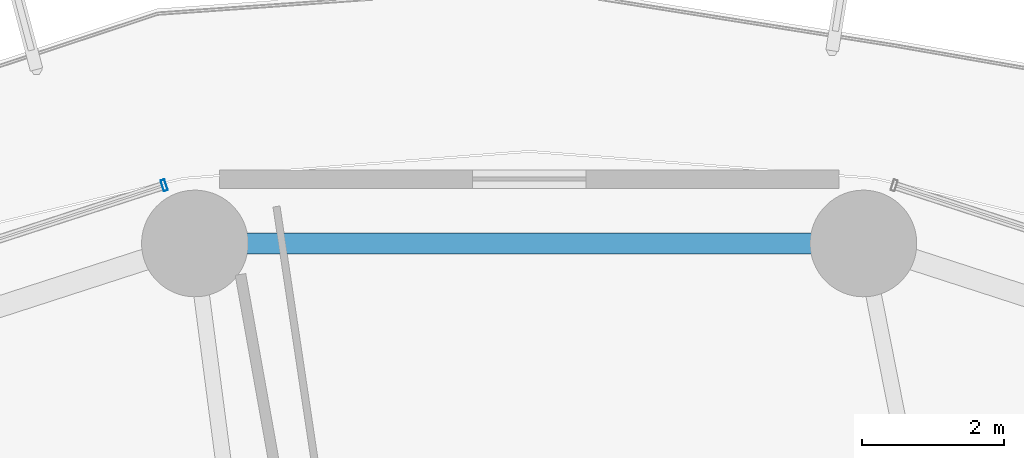
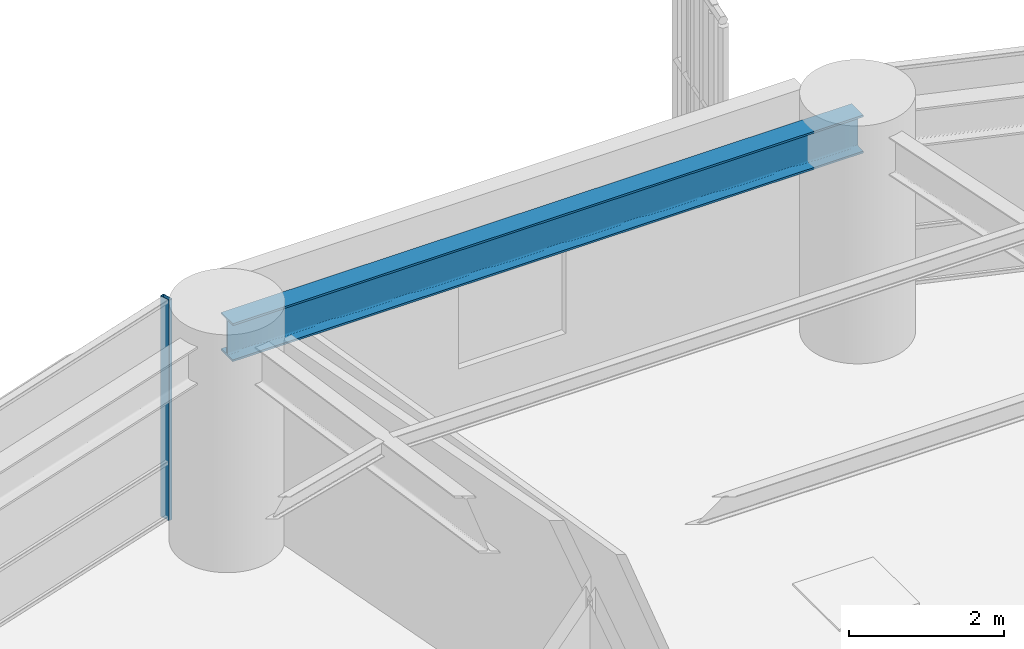
# One storey, part 18 of 32: 1 beam, 1 member, 1 element without a shape of its own.
"""IFC4 building model written with IfcOpenShell, lengths in metres."""

from ifc_helpers import new_model, si_unit, direction, frame, origin, origin_2d, place, context, subcontext, project, spatial, hollow_rectangle, i_section, extrude, material, layer, layer_set, material_profile, profile_set, type_object, element, aggregate, save


model = new_model("IFC4")

# Units and contexts
model_context = context("Model", 3, precision=1e-05, world=origin(), true_north=direction((0.0, 1.0)))
body_context = subcontext(model_context, "Body", "Model", "MODEL_VIEW")
ifc_project = project(units=[si_unit("LENGTHUNIT", "METRE"), si_unit("AREAUNIT", "SQUARE_METRE"), si_unit("VOLUMEUNIT", "CUBIC_METRE"), si_unit("PLANEANGLEUNIT", "RADIAN"), si_unit("MASSUNIT", "GRAM", prefix="KILO")], contexts=[model_context])

# Site, building, storey
site_placement = place(None, origin())
site = spatial("IfcSite", under=ifc_project, at=site_placement, CompositionType="ELEMENT")
building_placement = place(site_placement, origin())
building = spatial("IfcBuilding", under=site, at=building_placement, Name="Kelanora Arch Commons", CompositionType="ELEMENT")
storey_placement = place(building_placement, frame((0.0, 0.0, 60.0)))
storey = spatial("IfcBuildingStorey", under=building, at=storey_placement, Name="L15", CompositionType="ELEMENT", Elevation=60.0)

# Beam
ifc_material_1 = material(Name="Steel S355", Category="steel")
ifc_material_profile_1 = material_profile(ifc_material_1, i_section(OverallWidth=0.300048828125, OverallDepth=0.60009765625, WebThickness=0.015380859375, FlangeThickness=0.030029296875, FilletRadius=0.027099609375, at=origin_2d()), Name="HEB600")
ifc_profile_set_1 = profile_set([ifc_material_profile_1], Name="Steel S355")
beam_type = type_object("IfcBeamType", Name="BM-SPN-Z1", PredefinedType="SPANDREL", material=ifc_profile_set_1)
beam_placement = place(storey_placement, frame((78.702392578125, 81.714111328125, 3.18994140625), z_axis=(-1.0, 0.0, 0.0), x_axis=(0.0, -1.0, 0.0)))
element("IfcBeam", 1, at=beam_placement, inside=storey, type_object=beam_type, Name="Perimeter Spandrel Beam BS-08 L15", PredefinedType="SPANDREL", context=body_context, shape_type="SweptSolid", body=[
    extrude(i_section(OverallWidth=0.300048828125, OverallDepth=0.60009765625, WebThickness=0.015380859375, FlangeThickness=0.030029296875, FilletRadius=0.027099609375, at=origin_2d()), origin(), (0.0, 0.0, 1.0), 9.40478515625),
])

# Curtain wall, member
ifc_material_2 = material(Name="Terracotta ceramic-fritted low-E glass and aluminium", Category="masonry")
ifc_layer = layer(ifc_material_2, 0.159912109375)
ifc_layer_set = layer_set([ifc_layer], Name="Terracotta ceramic-fritted low-E glass and aluminium")
curtain_wall_type = type_object("IfcCurtainWallType", Name="CW-SYS-01", PredefinedType="NOTDEFINED", material=ifc_layer_set)
curtain_wall_placement = place(storey_placement, origin())
curtain_wall = element("IfcCurtainWall", 2, at=curtain_wall_placement, inside=storey, type_object=curtain_wall_type, Name="Unitised Curtain Wall L15-B05", PredefinedType="NOTDEFINED")
ifc_material_3 = material(Name="Powder-coated aluminium terracotta", Category="masonry")
ifc_material_profile_2 = material_profile(ifc_material_3, hollow_rectangle(XDim=0.159912109375, YDim=0.06005859375, WallThickness=0.0048828125, InnerFilletRadius=0.0048828125, OuterFilletRadius=0.010009765625, at=origin_2d()), Name="CWM160x60")
ifc_profile_set_2 = profile_set([ifc_material_profile_2], Name="Powder-coated aluminium terracotta")
member_type = type_object("IfcMemberType", Name="CWM-STD", PredefinedType="MULLION", material=ifc_profile_set_2)
member_placement = place(storey_placement, frame((68.865478515625, 82.53173828125, 0.0), z_axis=(0.0, 0.0, 1.0), x_axis=(0.30905758454, -0.951043326793, 0.0)))
member = element("IfcMember", 3, at=member_placement, type_object=member_type, Name="CW-01 mullion 1", PredefinedType="MULLION", context=body_context, shape_type="SweptSolid", body=[
    extrude(hollow_rectangle(XDim=0.159912109375, YDim=0.06005859375, WallThickness=0.0048828125, InnerFilletRadius=0.0048828125, OuterFilletRadius=0.010009765625, at=origin_2d()), origin(), (0.0, 0.0, 1.0), 3.47509765625),
])
aggregate(curtain_wall, [member])

save(model, "model.ifc")
